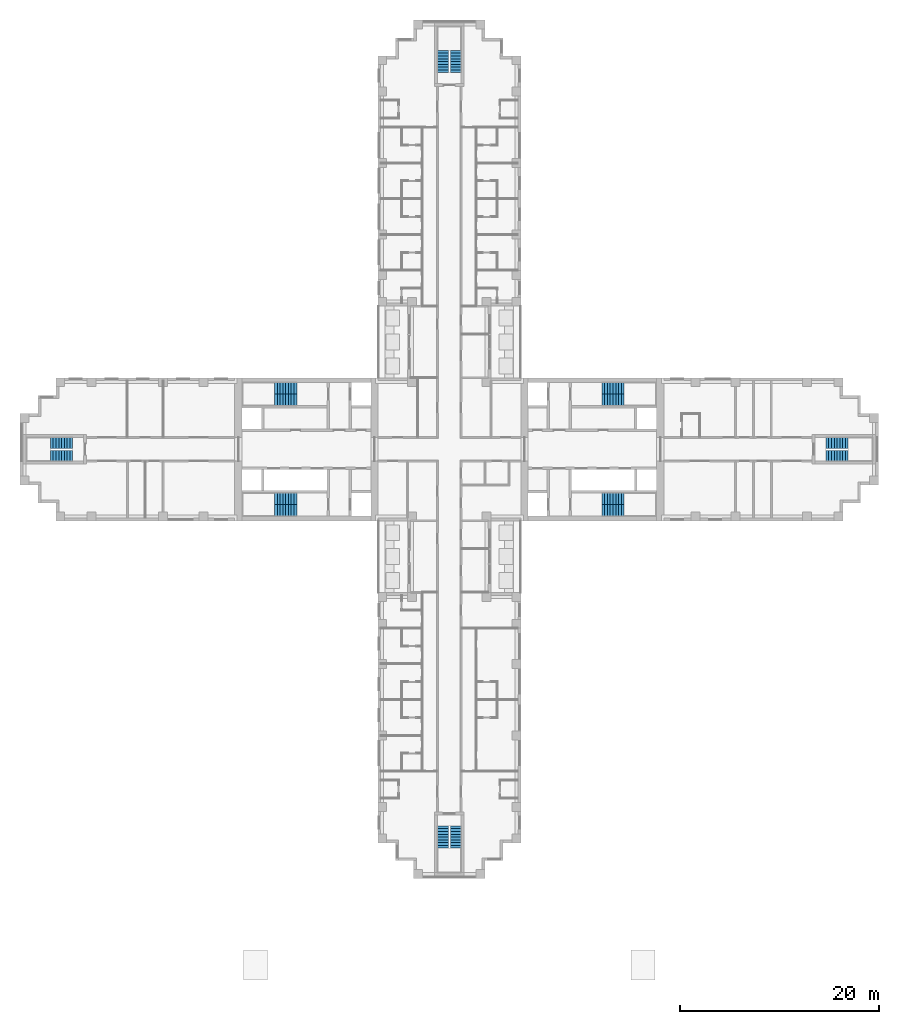
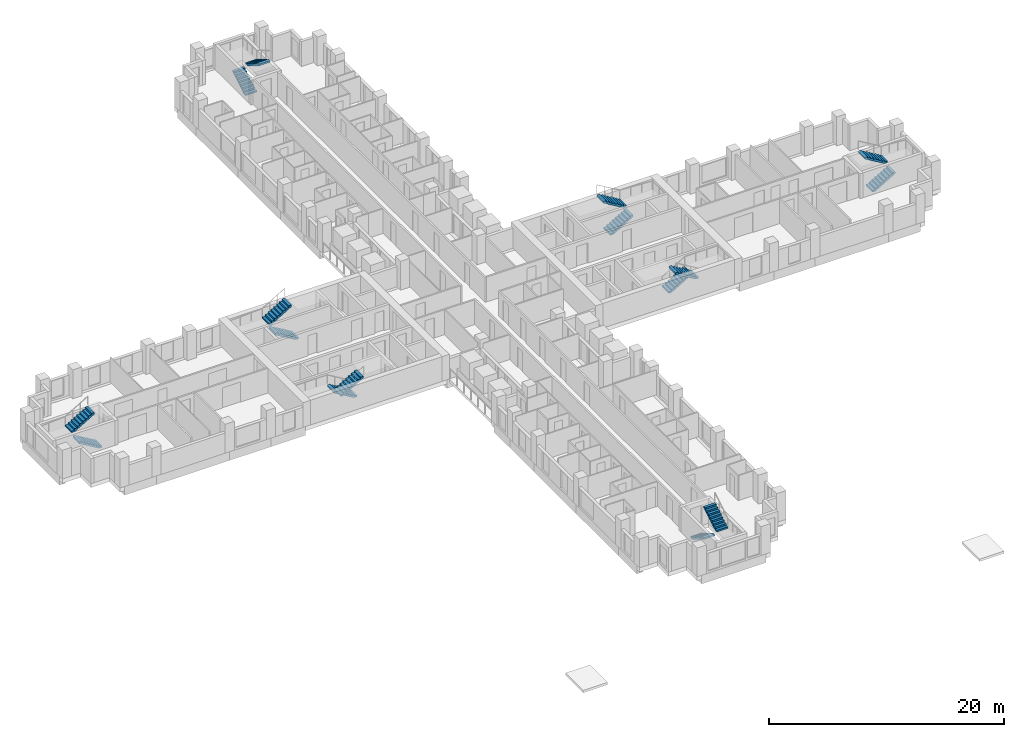
# One storey, part 13 of 15: 16 stair flights, 8 elements without a shape of their own.
"""IFC4 building model written with IfcOpenShell, lengths in metres."""

from ifc_helpers import new_model, si_unit, direction, frame, origin, place, context, subcontext, project, spatial, polyline, outline, extrude, material, type_object, element, aggregate, save


model = new_model("IFC4")

# Units and contexts
model_context = context("Model", 3, precision=1e-05, world=origin(), true_north=direction((0.0, 1.0)))
body_context = subcontext(model_context, "Body", "Model", "MODEL_VIEW")
ifc_project = project(units=[si_unit("LENGTHUNIT", "METRE"), si_unit("AREAUNIT", "SQUARE_METRE"), si_unit("VOLUMEUNIT", "CUBIC_METRE"), si_unit("PLANEANGLEUNIT", "RADIAN"), si_unit("MASSUNIT", "GRAM", prefix="KILO")], contexts=[model_context])

# Site, building, storey
site_placement = place(None, origin())
site = spatial("IfcSite", under=ifc_project, at=site_placement, CompositionType="ELEMENT")
building_placement = place(site_placement, origin())
building = spatial("IfcBuilding", under=site, at=building_placement, Name="Fustian Cross Tower", CompositionType="ELEMENT")
storey_placement = place(building_placement, frame((0.0, 0.0, 11.699951171875)))
storey = spatial("IfcBuildingStorey", under=building, at=storey_placement, Name="L02", CompositionType="ELEMENT", Elevation=11.699951171875)

# Stair, stair flights
ifc_material_1 = material(Name="Concrete C50/60", Category="concrete")
stair_type_1 = type_object("IfcStairType", Name="STAIR 1100 HALF TURN", PredefinedType="HALF_TURN_STAIR", material=ifc_material_1)
stair_1_placement = place(storey_placement, origin())
stair_1 = element("IfcStair", 1, at=stair_1_placement, inside=storey, type_object=stair_type_1, Name="Stair ST5", PredefinedType="HALF_TURN_STAIR")
ifc_material_2 = material(Name="Concrete C50/60", Category="concrete")
stair_flight_type_1 = type_object("IfcStairFlightType", Name="STAIR FLIGHT 1100", PredefinedType="STRAIGHT", material=ifc_material_2)
stair_flight_1_placement = place(storey_placement, frame((-0.64990234375, 37.89990234375, 0.0), z_axis=(0.0, 0.0, 1.0), x_axis=(0.0, 1.0, 0.0)))
stair_flight_1 = element("IfcStairFlight", 2, at=stair_flight_1_placement, type_object=stair_flight_type_1, Name="ST5 flight 1", NumberOfRisers=9, NumberOfTreads=8, PredefinedType="STRAIGHT", RiserHeight=0.166666667, TreadLength=0.28, context=body_context, shape_type="SweptSolid", body=[
    extrude(outline(polyline([(0.0, 0.0), (0.0, 0.166748046875), (0.280029296875, 0.166748046875), (0.280029296875, 0.333251953125), (0.56005859375, 0.333251953125), (0.56005859375, 0.5), (0.840087890625, 0.5), (0.840087890625, 0.666748046875), (1.1201171875, 0.666748046875), (1.1201171875, 0.833251953125), (1.39990234375, 0.833251953125), (1.39990234375, 1.0), (1.679931640625, 1.0), (1.679931640625, 1.166748046875), (1.9599609375, 1.166748046875), (1.9599609375, 1.333251953125), (2.239990234375, 1.333251953125), (2.239990234375, 1.5), (2.239990234375, 1.158935546875), (0.29296875, 0.0), (0.0, 0.0)])), frame((0.0, 0.550048828125, 0.0), z_axis=(0.0, -1.0, 0.0), x_axis=(1.0, 0.0, 0.0)), (0.0, 0.0, 1.0), 1.10009765625),
])
stair_flight_2_placement = place(storey_placement, frame((0.64990234375, 40.139892578125, 1.5), z_axis=(0.0, 0.0, 1.0), x_axis=(0.0, -1.0, 0.0)))
stair_flight_2 = element("IfcStairFlight", 3, at=stair_flight_2_placement, type_object=stair_flight_type_1, Name="ST5 flight 2", NumberOfRisers=9, NumberOfTreads=8, PredefinedType="STRAIGHT", RiserHeight=0.166666667, TreadLength=0.28, context=body_context, shape_type="SweptSolid", body=[
    extrude(outline(polyline([(0.0, 0.0), (0.0, 0.166748046875), (0.280029296875, 0.166748046875), (0.280029296875, 0.333251953125), (0.56005859375, 0.333251953125), (0.56005859375, 0.5), (0.840087890625, 0.5), (0.840087890625, 0.666748046875), (1.1201171875, 0.666748046875), (1.1201171875, 0.833251953125), (1.39990234375, 0.833251953125), (1.39990234375, 1.0), (1.679931640625, 1.0), (1.679931640625, 1.166748046875), (1.9599609375, 1.166748046875), (1.9599609375, 1.333251953125), (2.239990234375, 1.333251953125), (2.239990234375, 1.5), (2.239990234375, 1.158935546875), (0.29296875, 0.0), (0.0, 0.0)])), frame((0.0, 0.550048828125, 0.0), z_axis=(0.0, -1.0, 0.0), x_axis=(1.0, 0.0, 0.0)), (0.0, 0.0, 1.0), 1.10009765625),
])
aggregate(stair_1, [stair_flight_1, stair_flight_2])

stair_2_placement = place(storey_placement, origin())
stair_2 = element("IfcStair", 4, at=stair_2_placement, inside=storey, type_object=stair_type_1, Name="Stair ST6", PredefinedType="HALF_TURN_STAIR")
stair_flight_3_placement = place(storey_placement, frame((-0.64990234375, -37.89990234375, 0.0), z_axis=(0.0, 0.0, 1.0), x_axis=(0.0, -1.0, 0.0)))
stair_flight_3 = element("IfcStairFlight", 5, at=stair_flight_3_placement, type_object=stair_flight_type_1, Name="ST6 flight 1", NumberOfRisers=9, NumberOfTreads=8, PredefinedType="STRAIGHT", RiserHeight=0.166666667, TreadLength=0.28, context=body_context, shape_type="SweptSolid", body=[
    extrude(outline(polyline([(0.0, 0.0), (0.0, 0.166748046875), (0.280029296875, 0.166748046875), (0.280029296875, 0.333251953125), (0.56005859375, 0.333251953125), (0.56005859375, 0.5), (0.840087890625, 0.5), (0.840087890625, 0.666748046875), (1.1201171875, 0.666748046875), (1.1201171875, 0.833251953125), (1.39990234375, 0.833251953125), (1.39990234375, 1.0), (1.679931640625, 1.0), (1.679931640625, 1.166748046875), (1.9599609375, 1.166748046875), (1.9599609375, 1.333251953125), (2.239990234375, 1.333251953125), (2.239990234375, 1.5), (2.239990234375, 1.158935546875), (0.29296875, 0.0), (0.0, 0.0)])), frame((0.0, 0.550048828125, 0.0), z_axis=(0.0, -1.0, 0.0), x_axis=(1.0, 0.0, 0.0)), (0.0, 0.0, 1.0), 1.10009765625),
])
stair_flight_4_placement = place(storey_placement, frame((0.64990234375, -40.139892578125, 1.5), z_axis=(0.0, 0.0, 1.0), x_axis=(0.0, 1.0, 0.0)))
stair_flight_4 = element("IfcStairFlight", 6, at=stair_flight_4_placement, type_object=stair_flight_type_1, Name="ST6 flight 2", NumberOfRisers=9, NumberOfTreads=8, PredefinedType="STRAIGHT", RiserHeight=0.166666667, TreadLength=0.28, context=body_context, shape_type="SweptSolid", body=[
    extrude(outline(polyline([(0.0, 0.0), (0.0, 0.166748046875), (0.280029296875, 0.166748046875), (0.280029296875, 0.333251953125), (0.56005859375, 0.333251953125), (0.56005859375, 0.5), (0.840087890625, 0.5), (0.840087890625, 0.666748046875), (1.1201171875, 0.666748046875), (1.1201171875, 0.833251953125), (1.39990234375, 0.833251953125), (1.39990234375, 1.0), (1.679931640625, 1.0), (1.679931640625, 1.166748046875), (1.9599609375, 1.166748046875), (1.9599609375, 1.333251953125), (2.239990234375, 1.333251953125), (2.239990234375, 1.5), (2.239990234375, 1.158935546875), (0.29296875, 0.0), (0.0, 0.0)])), frame((0.0, 0.550048828125, 0.0), z_axis=(0.0, -1.0, 0.0), x_axis=(1.0, 0.0, 0.0)), (0.0, 0.0, 1.0), 1.10009765625),
])
aggregate(stair_2, [stair_flight_3, stair_flight_4])

stair_3_placement = place(storey_placement, origin())
stair_3 = element("IfcStair", 7, at=stair_3_placement, inside=storey, type_object=stair_type_1, Name="Stair ST8", PredefinedType="HALF_TURN_STAIR")
stair_flight_5_placement = place(storey_placement, frame((37.89990234375, -0.64990234375, 0.0), z_axis=(0.0, 0.0, 1.0), x_axis=(1.0, 0.0, 0.0)))
stair_flight_5 = element("IfcStairFlight", 8, at=stair_flight_5_placement, type_object=stair_flight_type_1, Name="ST8 flight 1", NumberOfRisers=9, NumberOfTreads=8, PredefinedType="STRAIGHT", RiserHeight=0.166666667, TreadLength=0.28, context=body_context, shape_type="SweptSolid", body=[
    extrude(outline(polyline([(0.0, 0.0), (0.0, 0.166748046875), (0.280029296875, 0.166748046875), (0.280029296875, 0.333251953125), (0.56005859375, 0.333251953125), (0.56005859375, 0.5), (0.840087890625, 0.5), (0.840087890625, 0.666748046875), (1.1201171875, 0.666748046875), (1.1201171875, 0.833251953125), (1.39990234375, 0.833251953125), (1.39990234375, 1.0), (1.679931640625, 1.0), (1.679931640625, 1.166748046875), (1.9599609375, 1.166748046875), (1.9599609375, 1.333251953125), (2.239990234375, 1.333251953125), (2.239990234375, 1.5), (2.239990234375, 1.158935546875), (0.29296875, 0.0), (0.0, 0.0)])), frame((0.0, 0.550048828125, 0.0), z_axis=(0.0, -1.0, 0.0), x_axis=(1.0, 0.0, 0.0)), (0.0, 0.0, 1.0), 1.10009765625),
])
stair_flight_6_placement = place(storey_placement, frame((40.139892578125, 0.64990234375, 1.5), z_axis=(0.0, 0.0, 1.0), x_axis=(-1.0, 0.0, 0.0)))
stair_flight_6 = element("IfcStairFlight", 9, at=stair_flight_6_placement, type_object=stair_flight_type_1, Name="ST8 flight 2", NumberOfRisers=9, NumberOfTreads=8, PredefinedType="STRAIGHT", RiserHeight=0.166666667, TreadLength=0.28, context=body_context, shape_type="SweptSolid", body=[
    extrude(outline(polyline([(0.0, 0.0), (0.0, 0.166748046875), (0.280029296875, 0.166748046875), (0.280029296875, 0.333251953125), (0.56005859375, 0.333251953125), (0.56005859375, 0.5), (0.840087890625, 0.5), (0.840087890625, 0.666748046875), (1.1201171875, 0.666748046875), (1.1201171875, 0.833251953125), (1.39990234375, 0.833251953125), (1.39990234375, 1.0), (1.679931640625, 1.0), (1.679931640625, 1.166748046875), (1.9599609375, 1.166748046875), (1.9599609375, 1.333251953125), (2.239990234375, 1.333251953125), (2.239990234375, 1.5), (2.239990234375, 1.158935546875), (0.29296875, 0.0), (0.0, 0.0)])), frame((0.0, 0.550048828125, 0.0), z_axis=(0.0, -1.0, 0.0), x_axis=(1.0, 0.0, 0.0)), (0.0, 0.0, 1.0), 1.10009765625),
])
aggregate(stair_3, [stair_flight_5, stair_flight_6])

stair_4_placement = place(storey_placement, origin())
stair_4 = element("IfcStair", 10, at=stair_4_placement, inside=storey, type_object=stair_type_1, Name="Stair ST9", PredefinedType="HALF_TURN_STAIR")
stair_flight_7_placement = place(storey_placement, frame((-37.89990234375, -0.64990234375, 0.0), z_axis=(0.0, 0.0, 1.0), x_axis=(-1.0, 0.0, 0.0)))
stair_flight_7 = element("IfcStairFlight", 11, at=stair_flight_7_placement, type_object=stair_flight_type_1, Name="ST9 flight 1", NumberOfRisers=9, NumberOfTreads=8, PredefinedType="STRAIGHT", RiserHeight=0.166666667, TreadLength=0.28, context=body_context, shape_type="SweptSolid", body=[
    extrude(outline(polyline([(0.0, 0.0), (0.0, 0.166748046875), (0.280029296875, 0.166748046875), (0.280029296875, 0.333251953125), (0.56005859375, 0.333251953125), (0.56005859375, 0.5), (0.840087890625, 0.5), (0.840087890625, 0.666748046875), (1.1201171875, 0.666748046875), (1.1201171875, 0.833251953125), (1.39990234375, 0.833251953125), (1.39990234375, 1.0), (1.679931640625, 1.0), (1.679931640625, 1.166748046875), (1.9599609375, 1.166748046875), (1.9599609375, 1.333251953125), (2.239990234375, 1.333251953125), (2.239990234375, 1.5), (2.239990234375, 1.158935546875), (0.29296875, 0.0), (0.0, 0.0)])), frame((0.0, 0.550048828125, 0.0), z_axis=(0.0, -1.0, 0.0), x_axis=(1.0, 0.0, 0.0)), (0.0, 0.0, 1.0), 1.10009765625),
])
stair_flight_8_placement = place(storey_placement, frame((-40.139892578125, 0.64990234375, 1.5), z_axis=(0.0, 0.0, 1.0), x_axis=(1.0, 0.0, 0.0)))
stair_flight_8 = element("IfcStairFlight", 12, at=stair_flight_8_placement, type_object=stair_flight_type_1, Name="ST9 flight 2", NumberOfRisers=9, NumberOfTreads=8, PredefinedType="STRAIGHT", RiserHeight=0.166666667, TreadLength=0.28, context=body_context, shape_type="SweptSolid", body=[
    extrude(outline(polyline([(0.0, 0.0), (0.0, 0.166748046875), (0.280029296875, 0.166748046875), (0.280029296875, 0.333251953125), (0.56005859375, 0.333251953125), (0.56005859375, 0.5), (0.840087890625, 0.5), (0.840087890625, 0.666748046875), (1.1201171875, 0.666748046875), (1.1201171875, 0.833251953125), (1.39990234375, 0.833251953125), (1.39990234375, 1.0), (1.679931640625, 1.0), (1.679931640625, 1.166748046875), (1.9599609375, 1.166748046875), (1.9599609375, 1.333251953125), (2.239990234375, 1.333251953125), (2.239990234375, 1.5), (2.239990234375, 1.158935546875), (0.29296875, 0.0), (0.0, 0.0)])), frame((0.0, 0.550048828125, 0.0), z_axis=(0.0, -1.0, 0.0), x_axis=(1.0, 0.0, 0.0)), (0.0, 0.0, 1.0), 1.10009765625),
])
aggregate(stair_4, [stair_flight_7, stair_flight_8])

ifc_material_3 = material(Name="Concrete C50/60", Category="concrete")
stair_type_2 = type_object("IfcStairType", Name="STAIR 1150 HALF TURN", PredefinedType="HALF_TURN_STAIR", material=ifc_material_3)
stair_5_placement = place(storey_placement, origin())
stair_5 = element("IfcStair", 13, at=stair_5_placement, inside=storey, type_object=stair_type_2, Name="Stair ST1", PredefinedType="HALF_TURN_STAIR")
ifc_material_4 = material(Name="Concrete C50/60", Category="concrete")
stair_flight_type_2 = type_object("IfcStairFlightType", Name="STAIR FLIGHT 1150", PredefinedType="STRAIGHT", material=ifc_material_4)
stair_flight_9_placement = place(storey_placement, frame((15.35009765625, 4.97509765625, 0.0), z_axis=(0.0, 0.0, 1.0), x_axis=(1.0, 0.0, 0.0)))
stair_flight_9 = element("IfcStairFlight", 14, at=stair_flight_9_placement, type_object=stair_flight_type_2, Name="ST1 flight 1", NumberOfRisers=9, NumberOfTreads=8, PredefinedType="STRAIGHT", RiserHeight=0.166666667, TreadLength=0.28, context=body_context, shape_type="SweptSolid", body=[
    extrude(outline(polyline([(0.0, 0.0), (0.0, 0.166748046875), (0.280029296875, 0.166748046875), (0.280029296875, 0.333251953125), (0.56005859375, 0.333251953125), (0.56005859375, 0.5), (0.840087890625, 0.5), (0.840087890625, 0.666748046875), (1.1201171875, 0.666748046875), (1.1201171875, 0.833251953125), (1.39990234375, 0.833251953125), (1.39990234375, 1.0), (1.679931640625, 1.0), (1.679931640625, 1.166748046875), (1.9599609375, 1.166748046875), (1.9599609375, 1.333251953125), (2.239990234375, 1.333251953125), (2.239990234375, 1.5), (2.239990234375, 1.158935546875), (0.29296875, 0.0), (0.0, 0.0)])), frame((0.0, 0.574951171875, 0.0), z_axis=(0.0, -1.0, 0.0), x_axis=(1.0, 0.0, 0.0)), (0.0, 0.0, 1.0), 1.14990234375),
])
stair_flight_10_placement = place(storey_placement, frame((17.590087890625, 6.125, 1.5), z_axis=(0.0, 0.0, 1.0), x_axis=(-1.0, 0.0, 0.0)))
stair_flight_10 = element("IfcStairFlight", 15, at=stair_flight_10_placement, type_object=stair_flight_type_2, Name="ST1 flight 2", NumberOfRisers=9, NumberOfTreads=8, PredefinedType="STRAIGHT", RiserHeight=0.166666667, TreadLength=0.28, context=body_context, shape_type="SweptSolid", body=[
    extrude(outline(polyline([(0.0, 0.0), (0.0, 0.166748046875), (0.280029296875, 0.166748046875), (0.280029296875, 0.333251953125), (0.56005859375, 0.333251953125), (0.56005859375, 0.5), (0.840087890625, 0.5), (0.840087890625, 0.666748046875), (1.1201171875, 0.666748046875), (1.1201171875, 0.833251953125), (1.39990234375, 0.833251953125), (1.39990234375, 1.0), (1.679931640625, 1.0), (1.679931640625, 1.166748046875), (1.9599609375, 1.166748046875), (1.9599609375, 1.333251953125), (2.239990234375, 1.333251953125), (2.239990234375, 1.5), (2.239990234375, 1.158935546875), (0.29296875, 0.0), (0.0, 0.0)])), frame((0.0, 0.574951171875, 0.0), z_axis=(0.0, -1.0, 0.0), x_axis=(1.0, 0.0, 0.0)), (0.0, 0.0, 1.0), 1.14990234375),
])
aggregate(stair_5, [stair_flight_9, stair_flight_10])

stair_6_placement = place(storey_placement, origin())
stair_6 = element("IfcStair", 16, at=stair_6_placement, inside=storey, type_object=stair_type_2, Name="Stair ST2", PredefinedType="HALF_TURN_STAIR")
stair_flight_11_placement = place(storey_placement, frame((15.35009765625, -4.97509765625, 0.0), z_axis=(0.0, 0.0, 1.0), x_axis=(1.0, 0.0, 0.0)))
stair_flight_11 = element("IfcStairFlight", 17, at=stair_flight_11_placement, type_object=stair_flight_type_2, Name="ST2 flight 1", NumberOfRisers=9, NumberOfTreads=8, PredefinedType="STRAIGHT", RiserHeight=0.166666667, TreadLength=0.28, context=body_context, shape_type="SweptSolid", body=[
    extrude(outline(polyline([(0.0, 0.0), (0.0, 0.166748046875), (0.280029296875, 0.166748046875), (0.280029296875, 0.333251953125), (0.56005859375, 0.333251953125), (0.56005859375, 0.5), (0.840087890625, 0.5), (0.840087890625, 0.666748046875), (1.1201171875, 0.666748046875), (1.1201171875, 0.833251953125), (1.39990234375, 0.833251953125), (1.39990234375, 1.0), (1.679931640625, 1.0), (1.679931640625, 1.166748046875), (1.9599609375, 1.166748046875), (1.9599609375, 1.333251953125), (2.239990234375, 1.333251953125), (2.239990234375, 1.5), (2.239990234375, 1.158935546875), (0.29296875, 0.0), (0.0, 0.0)])), frame((0.0, 0.574951171875, 0.0), z_axis=(0.0, -1.0, 0.0), x_axis=(1.0, 0.0, 0.0)), (0.0, 0.0, 1.0), 1.14990234375),
])
stair_flight_12_placement = place(storey_placement, frame((17.590087890625, -6.125, 1.5), z_axis=(0.0, 0.0, 1.0), x_axis=(-1.0, 0.0, 0.0)))
stair_flight_12 = element("IfcStairFlight", 18, at=stair_flight_12_placement, type_object=stair_flight_type_2, Name="ST2 flight 2", NumberOfRisers=9, NumberOfTreads=8, PredefinedType="STRAIGHT", RiserHeight=0.166666667, TreadLength=0.28, context=body_context, shape_type="SweptSolid", body=[
    extrude(outline(polyline([(0.0, 0.0), (0.0, 0.166748046875), (0.280029296875, 0.166748046875), (0.280029296875, 0.333251953125), (0.56005859375, 0.333251953125), (0.56005859375, 0.5), (0.840087890625, 0.5), (0.840087890625, 0.666748046875), (1.1201171875, 0.666748046875), (1.1201171875, 0.833251953125), (1.39990234375, 0.833251953125), (1.39990234375, 1.0), (1.679931640625, 1.0), (1.679931640625, 1.166748046875), (1.9599609375, 1.166748046875), (1.9599609375, 1.333251953125), (2.239990234375, 1.333251953125), (2.239990234375, 1.5), (2.239990234375, 1.158935546875), (0.29296875, 0.0), (0.0, 0.0)])), frame((0.0, 0.574951171875, 0.0), z_axis=(0.0, -1.0, 0.0), x_axis=(1.0, 0.0, 0.0)), (0.0, 0.0, 1.0), 1.14990234375),
])
aggregate(stair_6, [stair_flight_11, stair_flight_12])

stair_7_placement = place(storey_placement, origin())
stair_7 = element("IfcStair", 19, at=stair_7_placement, inside=storey, type_object=stair_type_2, Name="Stair ST3", PredefinedType="HALF_TURN_STAIR")
stair_flight_13_placement = place(storey_placement, frame((-15.35009765625, 4.97509765625, 0.0), z_axis=(0.0, 0.0, 1.0), x_axis=(-1.0, 0.0, 0.0)))
stair_flight_13 = element("IfcStairFlight", 20, at=stair_flight_13_placement, type_object=stair_flight_type_2, Name="ST3 flight 1", NumberOfRisers=9, NumberOfTreads=8, PredefinedType="STRAIGHT", RiserHeight=0.166666667, TreadLength=0.28, context=body_context, shape_type="SweptSolid", body=[
    extrude(outline(polyline([(0.0, 0.0), (0.0, 0.166748046875), (0.280029296875, 0.166748046875), (0.280029296875, 0.333251953125), (0.56005859375, 0.333251953125), (0.56005859375, 0.5), (0.840087890625, 0.5), (0.840087890625, 0.666748046875), (1.1201171875, 0.666748046875), (1.1201171875, 0.833251953125), (1.39990234375, 0.833251953125), (1.39990234375, 1.0), (1.679931640625, 1.0), (1.679931640625, 1.166748046875), (1.9599609375, 1.166748046875), (1.9599609375, 1.333251953125), (2.239990234375, 1.333251953125), (2.239990234375, 1.5), (2.239990234375, 1.158935546875), (0.29296875, 0.0), (0.0, 0.0)])), frame((0.0, 0.574951171875, 0.0), z_axis=(0.0, -1.0, 0.0), x_axis=(1.0, 0.0, 0.0)), (0.0, 0.0, 1.0), 1.14990234375),
])
stair_flight_14_placement = place(storey_placement, frame((-17.590087890625, 6.125, 1.5), z_axis=(0.0, 0.0, 1.0), x_axis=(1.0, 0.0, 0.0)))
stair_flight_14 = element("IfcStairFlight", 21, at=stair_flight_14_placement, type_object=stair_flight_type_2, Name="ST3 flight 2", NumberOfRisers=9, NumberOfTreads=8, PredefinedType="STRAIGHT", RiserHeight=0.166666667, TreadLength=0.28, context=body_context, shape_type="SweptSolid", body=[
    extrude(outline(polyline([(0.0, 0.0), (0.0, 0.166748046875), (0.280029296875, 0.166748046875), (0.280029296875, 0.333251953125), (0.56005859375, 0.333251953125), (0.56005859375, 0.5), (0.840087890625, 0.5), (0.840087890625, 0.666748046875), (1.1201171875, 0.666748046875), (1.1201171875, 0.833251953125), (1.39990234375, 0.833251953125), (1.39990234375, 1.0), (1.679931640625, 1.0), (1.679931640625, 1.166748046875), (1.9599609375, 1.166748046875), (1.9599609375, 1.333251953125), (2.239990234375, 1.333251953125), (2.239990234375, 1.5), (2.239990234375, 1.158935546875), (0.29296875, 0.0), (0.0, 0.0)])), frame((0.0, 0.574951171875, 0.0), z_axis=(0.0, -1.0, 0.0), x_axis=(1.0, 0.0, 0.0)), (0.0, 0.0, 1.0), 1.14990234375),
])
aggregate(stair_7, [stair_flight_13, stair_flight_14])

stair_8_placement = place(storey_placement, origin())
stair_8 = element("IfcStair", 22, at=stair_8_placement, inside=storey, type_object=stair_type_2, Name="Stair ST4", PredefinedType="HALF_TURN_STAIR")
stair_flight_15_placement = place(storey_placement, frame((-15.35009765625, -4.97509765625, 0.0), z_axis=(0.0, 0.0, 1.0), x_axis=(-1.0, 0.0, 0.0)))
stair_flight_15 = element("IfcStairFlight", 23, at=stair_flight_15_placement, type_object=stair_flight_type_2, Name="ST4 flight 1", NumberOfRisers=9, NumberOfTreads=8, PredefinedType="STRAIGHT", RiserHeight=0.166666667, TreadLength=0.28, context=body_context, shape_type="SweptSolid", body=[
    extrude(outline(polyline([(0.0, 0.0), (0.0, 0.166748046875), (0.280029296875, 0.166748046875), (0.280029296875, 0.333251953125), (0.56005859375, 0.333251953125), (0.56005859375, 0.5), (0.840087890625, 0.5), (0.840087890625, 0.666748046875), (1.1201171875, 0.666748046875), (1.1201171875, 0.833251953125), (1.39990234375, 0.833251953125), (1.39990234375, 1.0), (1.679931640625, 1.0), (1.679931640625, 1.166748046875), (1.9599609375, 1.166748046875), (1.9599609375, 1.333251953125), (2.239990234375, 1.333251953125), (2.239990234375, 1.5), (2.239990234375, 1.158935546875), (0.29296875, 0.0), (0.0, 0.0)])), frame((0.0, 0.574951171875, 0.0), z_axis=(0.0, -1.0, 0.0), x_axis=(1.0, 0.0, 0.0)), (0.0, 0.0, 1.0), 1.14990234375),
])
stair_flight_16_placement = place(storey_placement, frame((-17.590087890625, -6.125, 1.5), z_axis=(0.0, 0.0, 1.0), x_axis=(1.0, 0.0, 0.0)))
stair_flight_16 = element("IfcStairFlight", 24, at=stair_flight_16_placement, type_object=stair_flight_type_2, Name="ST4 flight 2", NumberOfRisers=9, NumberOfTreads=8, PredefinedType="STRAIGHT", RiserHeight=0.166666667, TreadLength=0.28, context=body_context, shape_type="SweptSolid", body=[
    extrude(outline(polyline([(0.0, 0.0), (0.0, 0.166748046875), (0.280029296875, 0.166748046875), (0.280029296875, 0.333251953125), (0.56005859375, 0.333251953125), (0.56005859375, 0.5), (0.840087890625, 0.5), (0.840087890625, 0.666748046875), (1.1201171875, 0.666748046875), (1.1201171875, 0.833251953125), (1.39990234375, 0.833251953125), (1.39990234375, 1.0), (1.679931640625, 1.0), (1.679931640625, 1.166748046875), (1.9599609375, 1.166748046875), (1.9599609375, 1.333251953125), (2.239990234375, 1.333251953125), (2.239990234375, 1.5), (2.239990234375, 1.158935546875), (0.29296875, 0.0), (0.0, 0.0)])), frame((0.0, 0.574951171875, 0.0), z_axis=(0.0, -1.0, 0.0), x_axis=(1.0, 0.0, 0.0)), (0.0, 0.0, 1.0), 1.14990234375),
])
aggregate(stair_8, [stair_flight_15, stair_flight_16])

save(model, "model.ifc")
